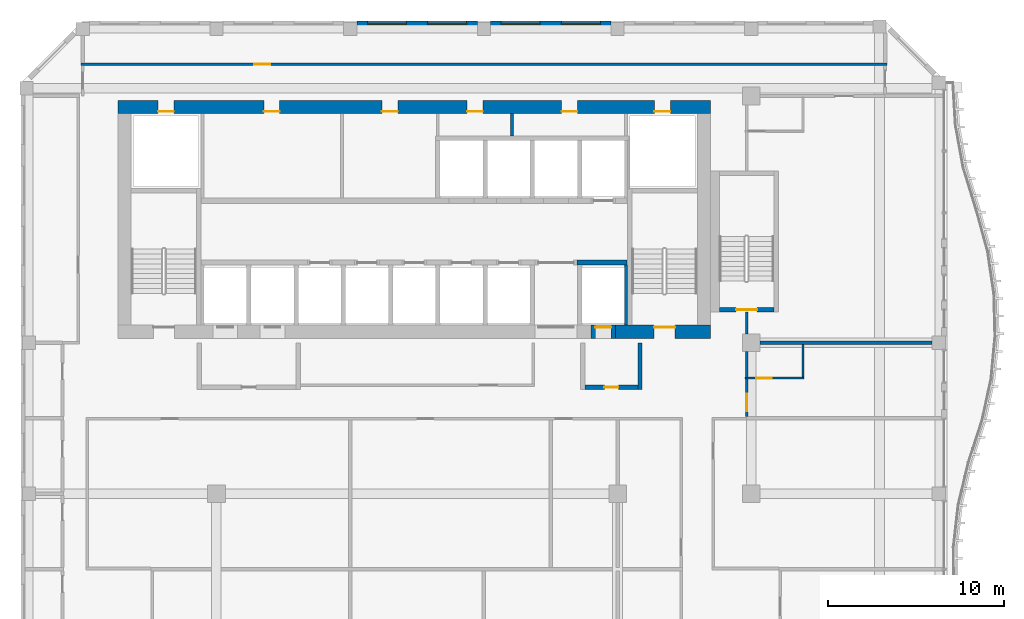
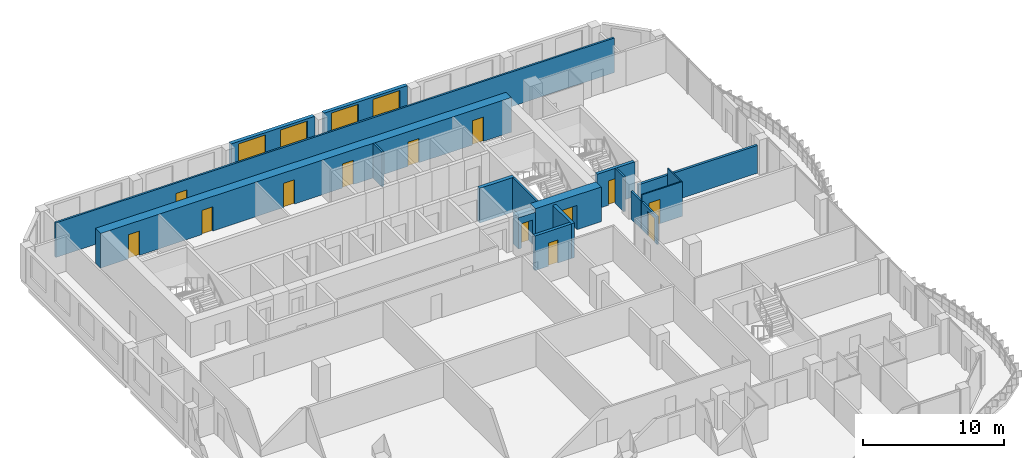
# One storey, part 15 of 22: 18 walls, 13 doors, 4 windows, 17 openings.
"""IFC4 building model written with IfcOpenShell, lengths in metres."""

from ifc_helpers import new_model, si_unit, direction, frame, frame_2d, origin, place, context, subcontext, project, spatial, rectangle, extrude, source, transform, mapped, material, layer, layer_set, type_object, element, fill, save


model = new_model("IFC4")

# Units and contexts
model_context = context("Model", 3, precision=1e-05, world=origin(), true_north=direction((0.0, 1.0)))
body_context = subcontext(model_context, "Body", "Model", "MODEL_VIEW")
ifc_project = project(units=[si_unit("LENGTHUNIT", "METRE"), si_unit("AREAUNIT", "SQUARE_METRE"), si_unit("VOLUMEUNIT", "CUBIC_METRE"), si_unit("PLANEANGLEUNIT", "RADIAN"), si_unit("MASSUNIT", "GRAM", prefix="KILO")], contexts=[model_context])

# Site, building, storey
site_placement = place(None, origin())
site = spatial("IfcSite", under=ifc_project, at=site_placement, CompositionType="ELEMENT")
building_placement = place(site_placement, origin())
building = spatial("IfcBuilding", under=site, at=building_placement, Name="Kilnfold Tower and Market Hall", CompositionType="ELEMENT")
storey_placement = place(building_placement, frame((0.0, 0.0, 220.300048828125)))
storey = spatial("IfcBuildingStorey", under=building, at=storey_placement, Name="L54", CompositionType="ELEMENT", Elevation=220.300048828125)

# Wall, opening, door
ifc_material_1 = material(Name="Gypsum board on steel studs", Category="steel")
ifc_layer_1 = layer(ifc_material_1, 0.14990234375)
ifc_layer_set_1 = layer_set([ifc_layer_1], Name="Gypsum board on steel studs")
wall_type_1 = type_object("IfcWallType", Name="WALL CORRIDOR 150", PredefinedType="PARTITIONING", material=ifc_layer_set_1)
wall_1_placement = place(storey_placement, frame((19.89990234375, 3.80908203125, 0.0), z_axis=(0.0, 0.0, 1.0), x_axis=(0.0, 1.0, 0.0)))
wall_1 = element("IfcWall", 1, at=wall_1_placement, inside=storey, type_object=wall_type_1, Name="Partition LY32.18", PredefinedType="PARTITIONING", context=body_context, shape_type="SweptSolid", body=[
    extrude(rectangle(XDim=2.15087890625, YDim=0.14990234375, at=frame_2d((1.075439453125, 0.0))), origin(), (0.0, 0.0, 1.0), 2.39990234375),
])
opening_1_placement = place(wall_1_placement, frame((0.306884765625, 0.0, 0.0)))
opening_1 = element("IfcOpeningElement", 2, at=opening_1_placement, cuts=wall_1, Name="Opening D1", PredefinedType="OPENING", context=body_context, shape_type="SweptSolid", body=[
    extrude(rectangle(XDim=1.0, YDim=2.10009765625, at=frame_2d((0.5, 1.050048828125))), frame((0.0, 0.0849609375, 0.0), z_axis=(0.0, -1.0, 0.0), x_axis=(1.0, 0.0, 0.0)), (0.0, 0.0, 1.0), 0.169921875),
])
ifc_material_2 = material(Name="Timber veneer door leaf in steel frame", Category="steel")
door_type_1 = type_object("IfcDoorType", Name="DOOR ENTRY 1000 X2100", OperationType="NOTDEFINED", PredefinedType="DOOR", material=ifc_material_2)
door_1_placement = place(opening_1_placement, origin())
door_1 = element("IfcDoor", 3, at=door_1_placement, inside=storey, type_object=door_type_1, Name="Door D1", OperationType="SINGLE_SWING_RIGHT", OverallHeight=2.10009765625, OverallWidth=1.0, PredefinedType="DOOR", context=body_context, shape_type="SweptSolid", body=[
    extrude(rectangle(XDim=1.0, YDim=2.10009765625, at=frame_2d((0.5, 1.050048828125))), frame((0.0, 0.02490234375, 0.0), z_axis=(0.0, -1.0, 0.0), x_axis=(1.0, 0.0, 0.0)), (0.0, 0.0, 1.0), 0.050048828125),
])
fill(opening_1, door_1)

# Walls
wall_2_placement = place(storey_placement, frame((19.89990234375, 6.0400390625, 0.0), z_axis=(0.0, 0.0, 1.0), x_axis=(0.0, 1.0, 0.0)))
element("IfcWall", 4, at=wall_2_placement, inside=storey, type_object=wall_type_1, Name="Partition LY32.19", PredefinedType="PARTITIONING", context=body_context, shape_type="SweptSolid", body=[
    extrude(rectangle(XDim=1.4599609375, YDim=0.14990234375, at=frame_2d((0.72998046875, 0.0))), origin(), (0.0, 0.0, 1.0), 2.39990234375),
])
wall_3_placement = place(storey_placement, frame((19.89990234375, 8.5, 0.0), z_axis=(0.0, 0.0, 1.0), x_axis=(0.0, 1.0, 0.0)))
element("IfcWall", 5, at=wall_3_placement, inside=storey, type_object=wall_type_1, Name="Partition LY32.21", PredefinedType="PARTITIONING", context=body_context, shape_type="SweptSolid", body=[
    extrude(rectangle(XDim=1.25, YDim=0.14990234375, at=frame_2d((0.625, 0.0))), origin(), (0.0, 0.0, 1.0), 3.0),
])

# Wall, opening, door
wall_4_placement = place(storey_placement, frame((27.85009765625, 23.800048828125, 0.0), z_axis=(0.0, 0.0, 1.0), x_axis=(-1.0, 0.0, 0.0)))
wall_4 = element("IfcWall", 6, at=wall_4_placement, inside=storey, type_object=wall_type_1, Name="Partition LY32.31", PredefinedType="PARTITIONING", context=body_context, shape_type="SweptSolid", body=[
    extrude(rectangle(XDim=45.7001953125, YDim=0.14990234375, at=frame_2d((22.85009765625, 0.0))), origin(), (0.0, 0.0, 1.0), 3.0),
])
opening_2_placement = place(wall_4_placement, frame((34.97802734375, 0.0, 0.0)))
opening_2 = element("IfcOpeningElement", 7, at=opening_2_placement, cuts=wall_4, Name="Opening D2", PredefinedType="OPENING", context=body_context, shape_type="SweptSolid", body=[
    extrude(rectangle(XDim=0.89990234375, YDim=2.10009765625, at=frame_2d((0.449951171875, 1.050048828125))), frame((0.0, 0.0849609375, 0.0), z_axis=(0.0, -1.0, 0.0), x_axis=(1.0, 0.0, 0.0)), (0.0, 0.0, 1.0), 0.169921875),
])
ifc_material_3 = material(Name="Timber veneer door leaf in steel frame", Category="steel")
door_type_2 = type_object("IfcDoorType", Name="DOOR ROOM 900 X2100", OperationType="NOTDEFINED", PredefinedType="DOOR", material=ifc_material_3)
door_2_placement = place(opening_2_placement, origin())
door_2 = element("IfcDoor", 8, at=door_2_placement, inside=storey, type_object=door_type_2, Name="Door D2", OperationType="SINGLE_SWING_RIGHT", OverallHeight=2.10009765625, OverallWidth=0.89990234375, PredefinedType="DOOR", context=body_context, shape_type="SweptSolid", body=[
    extrude(rectangle(XDim=0.89990234375, YDim=2.10009765625, at=frame_2d((0.449951171875, 1.050048828125))), frame((0.0, 0.02490234375, 0.0), z_axis=(0.0, -1.0, 0.0), x_axis=(1.0, 0.0, 0.0)), (0.0, 0.0, 1.0), 0.050048828125),
])
fill(opening_2, door_2)

ifc_material_4 = material(Name="Gypsum board on steel studs", Category="steel")
ifc_layer_2 = layer(ifc_material_4, 0.10009765625)
ifc_layer_set_2 = layer_set([ifc_layer_2], Name="Gypsum board on steel studs")
wall_type_2 = type_object("IfcWallType", Name="WALL PARTITION 100", PredefinedType="PARTITIONING", material=ifc_layer_set_2)
wall_5_placement = place(storey_placement, frame((23.152099609375, 6.0, 0.0), z_axis=(0.0, 0.0, 1.0), x_axis=(-1.0, 0.0, 0.0)))
wall_5 = element("IfcWall", 9, at=wall_5_placement, inside=storey, type_object=wall_type_2, Name="Partition LY32.77", PredefinedType="PARTITIONING", context=body_context, shape_type="SweptSolid", body=[
    extrude(rectangle(XDim=3.3251953125, YDim=0.10009765625, at=frame_2d((1.66259765625, 0.0))), origin(), (0.0, 0.0, 1.0), 3.0),
])
opening_3_placement = place(wall_5_placement, frame((1.820068359375, 0.0, 0.0)))
opening_3 = element("IfcOpeningElement", 10, at=opening_3_placement, cuts=wall_5, Name="Opening D3", PredefinedType="OPENING", context=body_context, shape_type="SweptSolid", body=[
    extrude(rectangle(XDim=0.89990234375, YDim=2.10009765625, at=frame_2d((0.449951171875, 1.050048828125))), frame((0.0, 0.06005859375, 0.0), z_axis=(0.0, -1.0, 0.0), x_axis=(1.0, 0.0, 0.0)), (0.0, 0.0, 1.0), 0.1201171875),
])
ifc_material_5 = material(Name="Timber veneer door leaf in steel frame", Category="steel")
door_type_3 = type_object("IfcDoorType", Name="DOOR WC 900 X2100", OperationType="NOTDEFINED", PredefinedType="DOOR", material=ifc_material_5)
door_3_placement = place(opening_3_placement, origin())
door_3 = element("IfcDoor", 11, at=door_3_placement, inside=storey, type_object=door_type_3, Name="Door D3", OperationType="SINGLE_SWING_LEFT", OverallHeight=2.10009765625, OverallWidth=0.89990234375, PredefinedType="DOOR", context=body_context, shape_type="SweptSolid", body=[
    extrude(rectangle(XDim=0.89990234375, YDim=2.10009765625, at=frame_2d((0.449951171875, 1.050048828125))), frame((0.0, 0.02490234375, 0.0), z_axis=(0.0, -1.0, 0.0), x_axis=(1.0, 0.0, 0.0)), (0.0, 0.0, 1.0), 0.050048828125),
])
fill(opening_3, door_3)

# Walls
wall_6_placement = place(storey_placement, frame((23.10205078125, 6.050048828125, 0.0), z_axis=(0.0, 0.0, 1.0), x_axis=(0.0, 1.0, 0.0)))
element("IfcWall", 12, at=wall_6_placement, inside=storey, type_object=wall_type_2, Name="Partition LY32.78", PredefinedType="PARTITIONING", context=body_context, shape_type="SweptSolid", body=[
    extrude(rectangle(XDim=1.849853515625, YDim=0.10009765625, at=frame_2d((0.9248046875, 0.0))), origin(), (0.0, 0.0, 1.0), 3.0),
])
ifc_material_6 = material(Name="Gypsum board on steel studs", Category="steel")
ifc_layer_3 = layer(ifc_material_6, 0.199951171875)
ifc_layer_set_3 = layer_set([ifc_layer_3], Name="Gypsum board on steel studs")
wall_type_3 = type_object("IfcWallType", Name="WALL PARTY 200", PredefinedType="PARTITIONING", material=ifc_layer_set_3)
wall_7_placement = place(storey_placement, frame((20.6669921875, 8.0, 0.0), z_axis=(0.0, 0.0, 1.0), x_axis=(1.0, 0.0, 0.0)))
element("IfcWall", 13, at=wall_7_placement, inside=storey, type_object=wall_type_3, Name="Partition LY32.80", PredefinedType="PARTITIONING", context=body_context, shape_type="SweptSolid", body=[
    extrude(rectangle(XDim=9.758056640625, YDim=0.199951171875, at=frame_2d((4.87890625, 0.0))), origin(), (0.0, 0.0, 1.0), 2.39990234375),
])

# Wall, opening, door
ifc_material_7 = material(Name="Concrete C60", Category="concrete")
ifc_layer_4 = layer(ifc_material_7, 0.25)
ifc_layer_set_4 = layer_set([ifc_layer_4], Name="Concrete C60")
wall_type_4 = type_object("IfcWallType", Name="CORE WALL 250 C60", PredefinedType="SHEAR", material=ifc_layer_set_4)
shared_shape_1 = source(origin(), body_context, "Body", "SweptSolid", [
    extrude(rectangle(XDim=3.099853515625, YDim=0.25, at=frame_2d((1.5498046875, 0.0))), origin(), (0.0, 0.0, 1.0), 3.0),
])
wall_8_placement = place(storey_placement, frame((18.35009765625, 9.875, 0.0), z_axis=(0.0, 0.0, 1.0), x_axis=(1.0, 0.0, 0.0)))
wall_8 = element("IfcWall", 14, at=wall_8_placement, inside=storey, type_object=wall_type_4, Name="Stair enclosure ST5", PredefinedType="SHEAR", context=body_context, shape_type="MappedRepresentation", body=[
    mapped(shared_shape_1, transform((0.0, 0.0, 0.0))),
])
opening_4_placement = place(wall_8_placement, frame((0.949951171875, 0.0, 0.0)))
opening_4 = element("IfcOpeningElement", 15, at=opening_4_placement, cuts=wall_8, Name="Opening SD1", PredefinedType="OPENING", context=body_context, shape_type="SweptSolid", body=[
    extrude(rectangle(XDim=1.199951171875, YDim=2.10009765625, at=frame_2d((0.60009765625, 1.050048828125))), frame((0.0, 0.135009765625, 0.0), z_axis=(0.0, -1.0, 0.0), x_axis=(1.0, 0.0, 0.0)), (0.0, 0.0, 1.0), 0.27001953125),
])
ifc_material_8 = material(Name="Steel door set with fire-resisting leaf", Category="steel")
door_type_4 = type_object("IfcDoorType", Name="STAIR FLOOR DOOR 1200X2100", OperationType="NOTDEFINED", PredefinedType="DOOR", material=ifc_material_8)
door_4_placement = place(opening_4_placement, origin())
door_4 = element("IfcDoor", 16, at=door_4_placement, inside=storey, type_object=door_type_4, Name="Exit stair ST5 door", OperationType="DOUBLE_DOOR_SINGLE_SWING", OverallHeight=2.10009765625, OverallWidth=1.199951171875, PredefinedType="DOOR", context=body_context, shape_type="SweptSolid", body=[
    extrude(rectangle(XDim=1.199951171875, YDim=2.10009765625, at=frame_2d((0.60009765625, 1.050048828125))), frame((0.0, 0.02490234375, 0.0), z_axis=(0.0, -1.0, 0.0), x_axis=(1.0, 0.0, 0.0)), (0.0, 0.0, 1.0), 0.050048828125),
])
fill(opening_4, door_4)

# Wall
ifc_material_9 = material(Name="Concrete C60", Category="concrete")
ifc_layer_5 = layer(ifc_material_9, 0.300048828125)
ifc_layer_set_5 = layer_set([ifc_layer_5], Name="Concrete C60")
wall_type_5 = type_object("IfcWallType", Name="CORE WALL 300 C60", PredefinedType="SHEAR", material=ifc_layer_set_5)
shared_shape_2 = source(origin(), body_context, "Body", "SweptSolid", [
    extrude(rectangle(XDim=2.820068359375, YDim=0.300048828125, at=frame_2d((1.41015625, 0.0))), origin(), (0.0, 0.0, 1.0), 3.0),
])
wall_9_placement = place(storey_placement, frame((10.2900390625, 12.550048828125, 0.0), z_axis=(0.0, 0.0, 1.0), x_axis=(1.0, 0.0, 0.0)))
element("IfcWall", 17, at=wall_9_placement, inside=storey, type_object=wall_type_5, Name="Core spine wall", PredefinedType="SHEAR", context=body_context, shape_type="MappedRepresentation", body=[
    mapped(shared_shape_2, transform((0.0, 0.0, 0.0))),
])

# Wall, opening, door
ifc_material_10 = material(Name="Concrete C60", Category="concrete")
ifc_layer_6 = layer(ifc_material_10, 0.75)
ifc_layer_set_6 = layer_set([ifc_layer_6], Name="Concrete C60")
wall_type_6 = type_object("IfcWallType", Name="CORE WALL 750 C60", PredefinedType="SHEAR", material=ifc_layer_set_6)
shared_shape_3 = source(origin(), body_context, "Body", "SweptSolid", [
    extrude(rectangle(XDim=5.380126953125, YDim=0.75, at=frame_2d((2.68994140625, 0.0))), origin(), (0.0, 0.0, 1.0), 3.0),
])
wall_10_placement = place(storey_placement, frame((12.469970703125, 8.625, 0.0), z_axis=(0.0, 0.0, 1.0), x_axis=(1.0, 0.0, 0.0)))
wall_10 = element("IfcWall", 18, at=wall_10_placement, inside=storey, type_object=wall_type_6, Name="Core outer wall south", PredefinedType="SHEAR", context=body_context, shape_type="MappedRepresentation", body=[
    mapped(shared_shape_3, transform((0.0, 0.0, 0.0))),
])
opening_5_placement = place(wall_10_placement, frame((2.179931640625, 0.0, 0.0)))
opening_5 = element("IfcOpeningElement", 19, at=opening_5_placement, cuts=wall_10, Name="Opening SD1", PredefinedType="OPENING", context=body_context, shape_type="SweptSolid", body=[
    extrude(rectangle(XDim=1.199951171875, YDim=2.10009765625, at=frame_2d((0.60009765625, 1.050048828125))), frame((0.0, 0.385009765625, 0.0), z_axis=(0.0, -1.0, 0.0), x_axis=(1.0, 0.0, 0.0)), (0.0, 0.0, 1.0), 0.77001953125),
])
door_5_placement = place(opening_5_placement, origin())
door_5 = element("IfcDoor", 20, at=door_5_placement, inside=storey, type_object=door_type_4, Name="Exit stair ST2 door", OperationType="DOUBLE_DOOR_SINGLE_SWING", OverallHeight=2.10009765625, OverallWidth=1.199951171875, PredefinedType="DOOR", context=body_context, shape_type="SweptSolid", body=[
    extrude(rectangle(XDim=1.199951171875, YDim=2.10009765625, at=frame_2d((0.60009765625, 1.050048828125))), frame((0.0, 0.27978515625, 0.0), z_axis=(0.0, -1.0, 0.0), x_axis=(1.0, 0.0, 0.0)), (0.0, 0.0, 1.0), 0.050048828125),
])
fill(opening_5, door_5)

# Wall, openings, doors
shared_shape_4 = source(origin(), body_context, "Body", "SweptSolid", [
    extrude(rectangle(XDim=33.60009765625, YDim=0.75, at=frame_2d((16.800048828125, 0.0))), origin(), (0.0, 0.0, 1.0), 3.0),
])
wall_11_placement = place(storey_placement, frame((-15.75, 21.375, 0.0), z_axis=(0.0, 0.0, 1.0), x_axis=(1.0, 0.0, 0.0)))
wall_11 = element("IfcWall", 21, at=wall_11_placement, inside=storey, type_object=wall_type_6, Name="Core outer wall north", PredefinedType="SHEAR", context=body_context, shape_type="MappedRepresentation", body=[
    mapped(shared_shape_4, transform((0.0, 0.0, 0.0))),
])
opening_6_placement = place(wall_11_placement, frame((8.269775390625, 0.0, 0.0)))
opening_6 = element("IfcOpeningElement", 22, at=opening_6_placement, cuts=wall_11, Name="Opening KD1", PredefinedType="OPENING", context=body_context, shape_type="SweptSolid", body=[
    extrude(rectangle(XDim=0.89990234375, YDim=2.10009765625, at=frame_2d((0.449951171875, 1.050048828125))), frame((0.0, 0.385009765625, 0.0), z_axis=(0.0, -1.0, 0.0), x_axis=(1.0, 0.0, 0.0)), (0.0, 0.0, 1.0), 0.77001953125),
])
opening_7_placement = place(wall_11_placement, frame((14.9697265625, 0.0, 0.0)))
opening_7 = element("IfcOpeningElement", 23, at=opening_7_placement, cuts=wall_11, Name="Opening KD1", PredefinedType="OPENING", context=body_context, shape_type="SweptSolid", body=[
    extrude(rectangle(XDim=0.89990234375, YDim=2.10009765625, at=frame_2d((0.449951171875, 1.050048828125))), frame((0.0, 0.385009765625, 0.0), z_axis=(0.0, -1.0, 0.0), x_axis=(1.0, 0.0, 0.0)), (0.0, 0.0, 1.0), 0.77001953125),
])
opening_8_placement = place(wall_11_placement, frame((19.793701171875, 0.0, 0.0)))
opening_8 = element("IfcOpeningElement", 24, at=opening_8_placement, cuts=wall_11, Name="Opening KD1", PredefinedType="OPENING", context=body_context, shape_type="SweptSolid", body=[
    extrude(rectangle(XDim=0.89990234375, YDim=2.10009765625, at=frame_2d((0.449951171875, 1.050048828125))), frame((0.0, 0.385009765625, 0.0), z_axis=(0.0, -1.0, 0.0), x_axis=(1.0, 0.0, 0.0)), (0.0, 0.0, 1.0), 0.77001953125),
])
opening_9_placement = place(wall_11_placement, frame((25.15380859375, 0.0, 0.0)))
opening_9 = element("IfcOpeningElement", 25, at=opening_9_placement, cuts=wall_11, Name="Opening KD1", PredefinedType="OPENING", context=body_context, shape_type="SweptSolid", body=[
    extrude(rectangle(XDim=0.89990234375, YDim=2.10009765625, at=frame_2d((0.449951171875, 1.050048828125))), frame((0.0, 0.385009765625, 0.0), z_axis=(0.0, -1.0, 0.0), x_axis=(1.0, 0.0, 0.0)), (0.0, 0.0, 1.0), 0.77001953125),
])
opening_10_placement = place(wall_11_placement, frame((2.27490234375, 0.0, 0.0)))
opening_10 = element("IfcOpeningElement", 26, at=opening_10_placement, cuts=wall_11, Name="Opening KD1", PredefinedType="OPENING", context=body_context, shape_type="SweptSolid", body=[
    extrude(rectangle(XDim=0.89990234375, YDim=2.10009765625, at=frame_2d((0.449951171875, 1.050048828125))), frame((0.0, 0.385009765625, 0.0), z_axis=(0.0, -1.0, 0.0), x_axis=(1.0, 0.0, 0.0)), (0.0, 0.0, 1.0), 0.77001953125),
])
opening_11_placement = place(wall_11_placement, frame((30.425048828125, 0.0, 0.0)))
opening_11 = element("IfcOpeningElement", 27, at=opening_11_placement, cuts=wall_11, Name="Opening KD1", PredefinedType="OPENING", context=body_context, shape_type="SweptSolid", body=[
    extrude(rectangle(XDim=0.89990234375, YDim=2.10009765625, at=frame_2d((0.449951171875, 1.050048828125))), frame((0.0, 0.385009765625, 0.0), z_axis=(0.0, -1.0, 0.0), x_axis=(1.0, 0.0, 0.0)), (0.0, 0.0, 1.0), 0.77001953125),
])
ifc_material_11 = material(Name="Steel door set with fire-resisting leaf", Category="steel")
door_type_5 = type_object("IfcDoorType", Name="SERVICE DOOR 900X2100", OperationType="NOTDEFINED", PredefinedType="DOOR", material=ifc_material_11)
door_6_placement = place(opening_6_placement, origin())
door_6 = element("IfcDoor", 28, at=door_6_placement, inside=storey, type_object=door_type_5, Name="Core service door", OperationType="SINGLE_SWING_RIGHT", OverallHeight=2.10009765625, OverallWidth=0.89990234375, PredefinedType="DOOR", context=body_context, shape_type="SweptSolid", body=[
    extrude(rectangle(XDim=0.89990234375, YDim=2.10009765625, at=frame_2d((0.449951171875, 1.050048828125))), frame((0.0, -0.22998046875, 0.0), z_axis=(0.0, -1.0, 0.0), x_axis=(1.0, 0.0, 0.0)), (0.0, 0.0, 1.0), 0.050048828125),
])
fill(opening_6, door_6)
door_7_placement = place(opening_7_placement, origin())
door_7 = element("IfcDoor", 29, at=door_7_placement, inside=storey, type_object=door_type_5, Name="Core service door", OperationType="SINGLE_SWING_LEFT", OverallHeight=2.10009765625, OverallWidth=0.89990234375, PredefinedType="DOOR", context=body_context, shape_type="SweptSolid", body=[
    extrude(rectangle(XDim=0.89990234375, YDim=2.10009765625, at=frame_2d((0.449951171875, 1.050048828125))), frame((0.0, -0.22998046875, 0.0), z_axis=(0.0, -1.0, 0.0), x_axis=(1.0, 0.0, 0.0)), (0.0, 0.0, 1.0), 0.050048828125),
])
fill(opening_7, door_7)
door_8_placement = place(opening_8_placement, origin())
door_8 = element("IfcDoor", 30, at=door_8_placement, inside=storey, type_object=door_type_5, Name="Core service door", OperationType="SINGLE_SWING_RIGHT", OverallHeight=2.10009765625, OverallWidth=0.89990234375, PredefinedType="DOOR", context=body_context, shape_type="SweptSolid", body=[
    extrude(rectangle(XDim=0.89990234375, YDim=2.10009765625, at=frame_2d((0.449951171875, 1.050048828125))), frame((0.0, -0.22998046875, 0.0), z_axis=(0.0, -1.0, 0.0), x_axis=(1.0, 0.0, 0.0)), (0.0, 0.0, 1.0), 0.050048828125),
])
fill(opening_8, door_8)
door_9_placement = place(opening_9_placement, origin())
door_9 = element("IfcDoor", 31, at=door_9_placement, inside=storey, type_object=door_type_5, Name="Core service door", OperationType="SINGLE_SWING_LEFT", OverallHeight=2.10009765625, OverallWidth=0.89990234375, PredefinedType="DOOR", context=body_context, shape_type="SweptSolid", body=[
    extrude(rectangle(XDim=0.89990234375, YDim=2.10009765625, at=frame_2d((0.449951171875, 1.050048828125))), frame((0.0, -0.22998046875, 0.0), z_axis=(0.0, -1.0, 0.0), x_axis=(1.0, 0.0, 0.0)), (0.0, 0.0, 1.0), 0.050048828125),
])
fill(opening_9, door_9)
door_10_placement = place(opening_10_placement, origin())
door_10 = element("IfcDoor", 32, at=door_10_placement, inside=storey, type_object=door_type_5, Name="Electrical riser access door", OperationType="SINGLE_SWING_RIGHT", OverallHeight=2.10009765625, OverallWidth=0.89990234375, PredefinedType="DOOR", context=body_context, shape_type="SweptSolid", body=[
    extrude(rectangle(XDim=0.89990234375, YDim=2.10009765625, at=frame_2d((0.449951171875, 1.050048828125))), frame((0.0, -0.22998046875, 0.0), z_axis=(0.0, -1.0, 0.0), x_axis=(1.0, 0.0, 0.0)), (0.0, 0.0, 1.0), 0.050048828125),
])
fill(opening_10, door_10)
door_11_placement = place(opening_11_placement, origin())
door_11 = element("IfcDoor", 33, at=door_11_placement, inside=storey, type_object=door_type_5, Name="Mechanical riser access door", OperationType="SINGLE_SWING_LEFT", OverallHeight=2.10009765625, OverallWidth=0.89990234375, PredefinedType="DOOR", context=body_context, shape_type="SweptSolid", body=[
    extrude(rectangle(XDim=0.89990234375, YDim=2.10009765625, at=frame_2d((0.449951171875, 1.050048828125))), frame((0.0, -0.22998046875, 0.0), z_axis=(0.0, -1.0, 0.0), x_axis=(1.0, 0.0, 0.0)), (0.0, 0.0, 1.0), 0.050048828125),
])
fill(opening_11, door_11)

# Wall, openings, windows
ifc_material_12 = material(Name="Precast concrete C50/60", Category="concrete")
ifc_layer_7 = layer(ifc_material_12, 0.300048828125)
ifc_layer_set_7 = layer_set([ifc_layer_7], Name="Precast concrete C50/60")
wall_type_7 = type_object("IfcWallType", Name="PRECAST WALL 300", PredefinedType="SOLIDWALL", material=ifc_layer_set_7)
shared_shape_5 = source(origin(), body_context, "Body", "SweptSolid", [
    extrude(rectangle(XDim=6.833251953125, YDim=0.300048828125, at=frame_2d((3.41650390625, 0.0))), origin(), (0.0, 0.0, 1.0), 3.0),
])
wall_12_placement = place(storey_placement, frame((12.208251953125, 26.10009765625, 0.0), z_axis=(0.0, 0.0, 1.0), x_axis=(-1.0, 0.0, 0.0)))
wall_12 = element("IfcWall", 34, at=wall_12_placement, inside=storey, type_object=wall_type_7, Name="External wall L54 N", PredefinedType="SOLIDWALL", context=body_context, shape_type="MappedRepresentation", body=[
    mapped(shared_shape_5, transform((0.0, 0.0, 0.0))),
])
opening_12_placement = place(wall_12_placement, frame((0.6083984375, 0.0, 0.85009765625)))
opening_12 = element("IfcOpeningElement", 35, at=opening_12_placement, cuts=wall_12, Name="Opening W2", PredefinedType="OPENING", context=body_context, shape_type="SweptSolid", body=[
    extrude(rectangle(XDim=2.199951171875, YDim=1.949951171875, at=frame_2d((1.10009765625, 0.97509765625))), frame((0.0, 0.16015625, 0.0), z_axis=(0.0, -1.0, 0.0), x_axis=(1.0, 0.0, 0.0)), (0.0, 0.0, 1.0), 0.320068359375),
])
opening_13_placement = place(wall_12_placement, frame((4.02490234375, 0.0, 0.85009765625)))
opening_13 = element("IfcOpeningElement", 36, at=opening_13_placement, cuts=wall_12, Name="Opening W2", PredefinedType="OPENING", context=body_context, shape_type="SweptSolid", body=[
    extrude(rectangle(XDim=2.199951171875, YDim=1.949951171875, at=frame_2d((1.10009765625, 0.97509765625))), frame((0.0, 0.16015625, 0.0), z_axis=(0.0, -1.0, 0.0), x_axis=(1.0, 0.0, 0.0)), (0.0, 0.0, 1.0), 0.320068359375),
])
ifc_material_13 = material(Name="Aluminium frame and double glazing", Category="aluminium")
window_type = type_object("IfcWindowType", Name="WINDOW W2 2200X1950", PartitioningType="SINGLE_PANEL", PredefinedType="WINDOW", material=ifc_material_13)
window_1_placement = place(opening_12_placement, origin())
window_1 = element("IfcWindow", 37, at=window_1_placement, inside=storey, type_object=window_type, Name="Window W2 L54 N-1", OverallHeight=1.949951171875, OverallWidth=2.199951171875, PartitioningType="SINGLE_PANEL", PredefinedType="WINDOW", context=body_context, shape_type="SweptSolid", body=[
    extrude(rectangle(XDim=2.199951171875, YDim=1.949951171875, at=frame_2d((1.10009765625, 0.97509765625))), frame((0.0, 0.030029296875, 0.0), z_axis=(0.0, -1.0, 0.0), x_axis=(1.0, 0.0, 0.0)), (0.0, 0.0, 1.0), 0.06005859375),
])
fill(opening_12, window_1)
window_2_placement = place(opening_13_placement, origin())
window_2 = element("IfcWindow", 38, at=window_2_placement, inside=storey, type_object=window_type, Name="Window W2 L54 N-2", OverallHeight=1.949951171875, OverallWidth=2.199951171875, PartitioningType="SINGLE_PANEL", PredefinedType="WINDOW", context=body_context, shape_type="SweptSolid", body=[
    extrude(rectangle(XDim=2.199951171875, YDim=1.949951171875, at=frame_2d((1.10009765625, 0.97509765625))), frame((0.0, 0.030029296875, 0.0), z_axis=(0.0, -1.0, 0.0), x_axis=(1.0, 0.0, 0.0)), (0.0, 0.0, 1.0), 0.06005859375),
])
fill(opening_13, window_2)

wall_13_placement = place(storey_placement, frame((4.625, 26.10009765625, 0.0), z_axis=(0.0, 0.0, 1.0), x_axis=(-1.0, 0.0, 0.0)))
wall_13 = element("IfcWall", 39, at=wall_13_placement, inside=storey, type_object=wall_type_7, Name="External wall L54 N", PredefinedType="SOLIDWALL", context=body_context, shape_type="MappedRepresentation", body=[
    mapped(shared_shape_5, transform((0.0, 0.0, 0.0))),
])
opening_14_placement = place(wall_13_placement, frame((0.6083984375, 0.0, 0.85009765625)))
opening_14 = element("IfcOpeningElement", 40, at=opening_14_placement, cuts=wall_13, Name="Opening W2", PredefinedType="OPENING", context=body_context, shape_type="SweptSolid", body=[
    extrude(rectangle(XDim=2.199951171875, YDim=1.949951171875, at=frame_2d((1.10009765625, 0.97509765625))), frame((0.0, 0.16015625, 0.0), z_axis=(0.0, -1.0, 0.0), x_axis=(1.0, 0.0, 0.0)), (0.0, 0.0, 1.0), 0.320068359375),
])
opening_15_placement = place(wall_13_placement, frame((4.02490234375, 0.0, 0.85009765625)))
opening_15 = element("IfcOpeningElement", 41, at=opening_15_placement, cuts=wall_13, Name="Opening W2", PredefinedType="OPENING", context=body_context, shape_type="SweptSolid", body=[
    extrude(rectangle(XDim=2.199951171875, YDim=1.949951171875, at=frame_2d((1.10009765625, 0.97509765625))), frame((0.0, 0.16015625, 0.0), z_axis=(0.0, -1.0, 0.0), x_axis=(1.0, 0.0, 0.0)), (0.0, 0.0, 1.0), 0.320068359375),
])
window_3_placement = place(opening_14_placement, origin())
window_3 = element("IfcWindow", 42, at=window_3_placement, inside=storey, type_object=window_type, Name="Window W2 L54 N-1", OverallHeight=1.949951171875, OverallWidth=2.199951171875, PartitioningType="SINGLE_PANEL", PredefinedType="WINDOW", context=body_context, shape_type="SweptSolid", body=[
    extrude(rectangle(XDim=2.199951171875, YDim=1.949951171875, at=frame_2d((1.10009765625, 0.97509765625))), frame((0.0, 0.030029296875, 0.0), z_axis=(0.0, -1.0, 0.0), x_axis=(1.0, 0.0, 0.0)), (0.0, 0.0, 1.0), 0.06005859375),
])
fill(opening_14, window_3)
window_4_placement = place(opening_15_placement, origin())
window_4 = element("IfcWindow", 43, at=window_4_placement, inside=storey, type_object=window_type, Name="Window W2 L54 N-2", OverallHeight=1.949951171875, OverallWidth=2.199951171875, PartitioningType="SINGLE_PANEL", PredefinedType="WINDOW", context=body_context, shape_type="SweptSolid", body=[
    extrude(rectangle(XDim=2.199951171875, YDim=1.949951171875, at=frame_2d((1.10009765625, 0.97509765625))), frame((0.0, 0.030029296875, 0.0), z_axis=(0.0, -1.0, 0.0), x_axis=(1.0, 0.0, 0.0)), (0.0, 0.0, 1.0), 0.06005859375),
])
fill(opening_15, window_4)

# Wall
ifc_material_14 = material(Name="Gypsum shaft wall system")
ifc_layer_8 = layer(ifc_material_14, 0.25)
ifc_layer_set_8 = layer_set([ifc_layer_8], Name="Gypsum shaft wall system")
wall_type_8 = type_object("IfcWallType", Name="LOBBY WALL 250", PredefinedType="PARTITIONING", material=ifc_layer_set_8)
shared_shape_6 = source(origin(), body_context, "Body", "SweptSolid", [
    extrude(rectangle(XDim=2.64990234375, YDim=0.25, at=frame_2d((1.324951171875, 0.0))), origin(), (0.0, 0.0, 1.0), 3.0),
])
wall_14_placement = place(storey_placement, frame((13.85498046875, 5.35009765625, 0.0), z_axis=(0.0, 0.0, 1.0), x_axis=(0.0, 1.0, 0.0)))
element("IfcWall", 44, at=wall_14_placement, inside=storey, type_object=wall_type_8, Name="Firefighting lobby wall", PredefinedType="PARTITIONING", context=body_context, shape_type="MappedRepresentation", body=[
    mapped(shared_shape_6, transform((0.0, 0.0, 0.0))),
])

# Wall, opening, door
shared_shape_7 = source(origin(), body_context, "Body", "SweptSolid", [
    extrude(rectangle(XDim=3.0, YDim=0.25, at=frame_2d((1.5, 0.0))), origin(), (0.0, 0.0, 1.0), 3.0),
])
wall_15_placement = place(storey_placement, frame((10.72998046875, 5.47509765625, 0.0), z_axis=(0.0, 0.0, 1.0), x_axis=(1.0, 0.0, 0.0)))
wall_15 = element("IfcWall", 45, at=wall_15_placement, inside=storey, type_object=wall_type_8, Name="Firefighting lobby wall", PredefinedType="PARTITIONING", context=body_context, shape_type="MappedRepresentation", body=[
    mapped(shared_shape_7, transform((0.0, 0.0, 0.0))),
])
opening_16_placement = place(wall_15_placement, frame((1.10009765625, 0.0, 0.0)))
opening_16 = element("IfcOpeningElement", 46, at=opening_16_placement, cuts=wall_15, Name="Opening VD1", PredefinedType="OPENING", context=body_context, shape_type="SweptSolid", body=[
    extrude(rectangle(XDim=0.800048828125, YDim=2.0, at=frame_2d((0.39990234375, 1.0))), frame((0.0, 0.135009765625, 0.0), z_axis=(0.0, -1.0, 0.0), x_axis=(1.0, 0.0, 0.0)), (0.0, 0.0, 1.0), 0.27001953125),
])
ifc_material_15 = material(Name="Steel door set with fire-resisting leaf", Category="steel")
door_type_6 = type_object("IfcDoorType", Name="FIREFIGHTING LOBBY DOOR 800X2000", OperationType="NOTDEFINED", PredefinedType="DOOR", material=ifc_material_15)
door_12_placement = place(opening_16_placement, origin())
door_12 = element("IfcDoor", 47, at=door_12_placement, inside=storey, type_object=door_type_6, Name="Firefighting lobby door", OperationType="SINGLE_SWING_RIGHT", OverallHeight=2.0, OverallWidth=0.800048828125, PredefinedType="DOOR", context=body_context, shape_type="SweptSolid", body=[
    extrude(rectangle(XDim=0.800048828125, YDim=2.0, at=frame_2d((0.39990234375, 1.0))), frame((0.0, 0.02490234375, 0.0), z_axis=(0.0, -1.0, 0.0), x_axis=(1.0, 0.0, 0.0)), (0.0, 0.0, 1.0), 0.050048828125),
])
fill(opening_16, door_12)

# Walls
ifc_material_16 = material(Name="Gypsum shaft wall system")
ifc_layer_9 = layer(ifc_material_16, 0.1650390625)
ifc_layer_set_9 = layer_set([ifc_layer_9], Name="Gypsum shaft wall system")
wall_type_9 = type_object("IfcWallType", Name="SHAFT WALL 165", PredefinedType="PARTITIONING", material=ifc_layer_set_9)
shared_shape_8 = source(origin(), body_context, "Body", "SweptSolid", [
    extrude(rectangle(XDim=3.39990234375, YDim=0.1650390625, at=frame_2d((1.699951171875, 0.0))), origin(), (0.0, 0.0, 1.0), 3.0),
])
wall_16_placement = place(storey_placement, frame((13.0673828125, 9.0, 0.0), z_axis=(0.0, 0.0, 1.0), x_axis=(0.0, 1.0, 0.0)))
element("IfcWall", 48, at=wall_16_placement, inside=storey, type_object=wall_type_9, Name="Lift shaft wall", PredefinedType="PARTITIONING", context=body_context, shape_type="MappedRepresentation", body=[
    mapped(shared_shape_8, transform((0.0, 0.0, 0.0))),
])
ifc_material_17 = material(Name="Gypsum shaft wall system")
ifc_layer_10 = layer(ifc_material_17, 0.14990234375)
ifc_layer_set_10 = layer_set([ifc_layer_10], Name="Gypsum shaft wall system")
wall_type_10 = type_object("IfcWallType", Name="ROOM WALL 150", PredefinedType="PARTITIONING", material=ifc_layer_set_10)
shared_shape_9 = source(origin(), body_context, "Body", "SweptSolid", [
    extrude(rectangle(XDim=1.27490234375, YDim=0.14990234375, at=frame_2d((0.637451171875, 0.0))), origin(), (0.0, 0.0, 1.0), 3.0),
])
wall_17_placement = place(storey_placement, frame((6.59765625, 19.72509765625, 0.0), z_axis=(0.0, 0.0, 1.0), x_axis=(0.0, 1.0, 0.0)))
element("IfcWall", 49, at=wall_17_placement, inside=storey, type_object=wall_type_10, Name="Core room wall", PredefinedType="PARTITIONING", context=body_context, shape_type="MappedRepresentation", body=[
    mapped(shared_shape_9, transform((0.0, 0.0, 0.0))),
])

# Wall, opening, door
ifc_material_18 = material(Name="Gypsum shaft wall system")
ifc_layer_11 = layer(ifc_material_18, 0.75)
ifc_layer_set_11 = layer_set([ifc_layer_11], Name="Gypsum shaft wall system")
wall_type_11 = type_object("IfcWallType", Name="LOBBY WALL 750", PredefinedType="PARTITIONING", material=ifc_layer_set_11)
shared_shape_10 = source(origin(), body_context, "Body", "SweptSolid", [
    extrude(rectangle(XDim=1.39990234375, YDim=0.75, at=frame_2d((0.699951171875, 0.0))), origin(), (0.0, 0.0, 1.0), 2.699951171875),
])
wall_18_placement = place(storey_placement, frame((11.070068359375, 8.625, 0.0), z_axis=(0.0, 0.0, 1.0), x_axis=(1.0, 0.0, 0.0)))
wall_18 = element("IfcWall", 50, at=wall_18_placement, inside=storey, type_object=wall_type_11, Name="Core wall infill", PredefinedType="PARTITIONING", context=body_context, shape_type="MappedRepresentation", body=[
    mapped(shared_shape_10, transform((0.0, 0.0, 0.0))),
])
opening_17_placement = place(wall_18_placement, frame((0.25, 0.0, 0.0)))
opening_17 = element("IfcOpeningElement", 51, at=opening_17_placement, cuts=wall_18, Name="Opening LD1", PredefinedType="OPENING", context=body_context, shape_type="SweptSolid", body=[
    extrude(rectangle(XDim=0.89990234375, YDim=2.10009765625, at=frame_2d((0.449951171875, 1.050048828125))), frame((0.0, 0.385009765625, 0.0), z_axis=(0.0, -1.0, 0.0), x_axis=(1.0, 0.0, 0.0)), (0.0, 0.0, 1.0), 0.77001953125),
])
ifc_material_19 = material(Name="Steel door set with fire-resisting leaf", Category="steel")
door_type_7 = type_object("IfcDoorType", Name="FIREFIGHTING LANDING DOOR 900X2100", OperationType="NOTDEFINED", PredefinedType="DOOR", material=ifc_material_19)
door_13_placement = place(opening_17_placement, origin())
door_13 = element("IfcDoor", 52, at=door_13_placement, inside=storey, type_object=door_type_7, Name="Landing door FF3", OperationType="SLIDING_TO_LEFT", OverallHeight=2.10009765625, OverallWidth=0.89990234375, PredefinedType="DOOR", context=body_context, shape_type="SweptSolid", body=[
    extrude(rectangle(XDim=0.89990234375, YDim=2.10009765625, at=frame_2d((0.449951171875, 1.050048828125))), frame((0.0, 0.27978515625, 0.0), z_axis=(0.0, -1.0, 0.0), x_axis=(1.0, 0.0, 0.0)), (0.0, 0.0, 1.0), 0.050048828125),
])
fill(opening_17, door_13)

save(model, "model.ifc")
